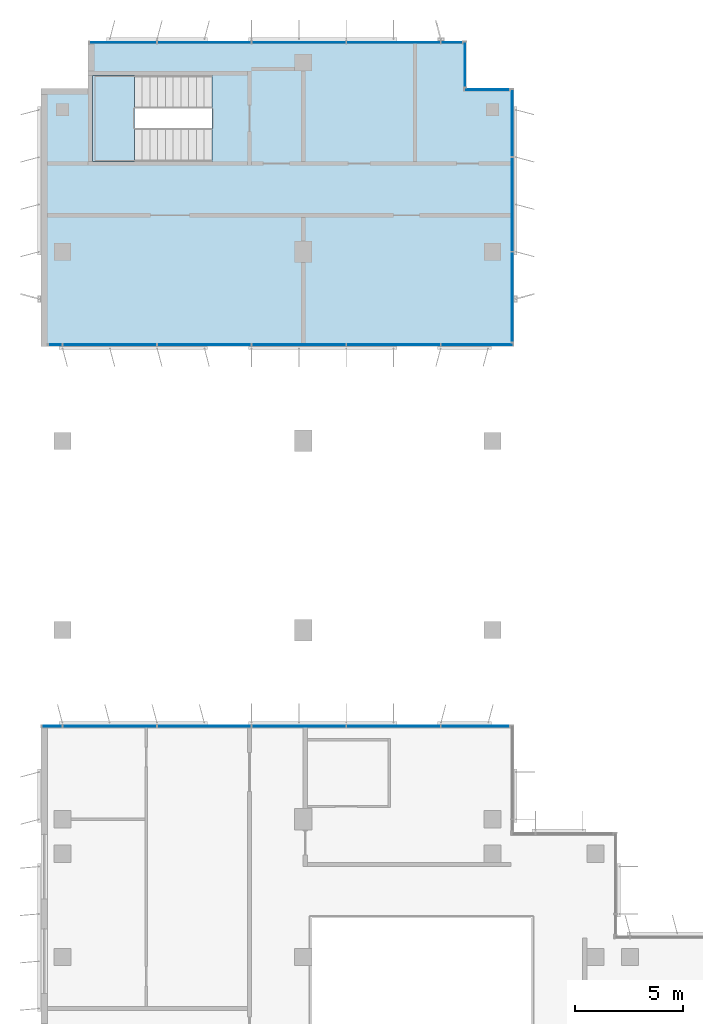
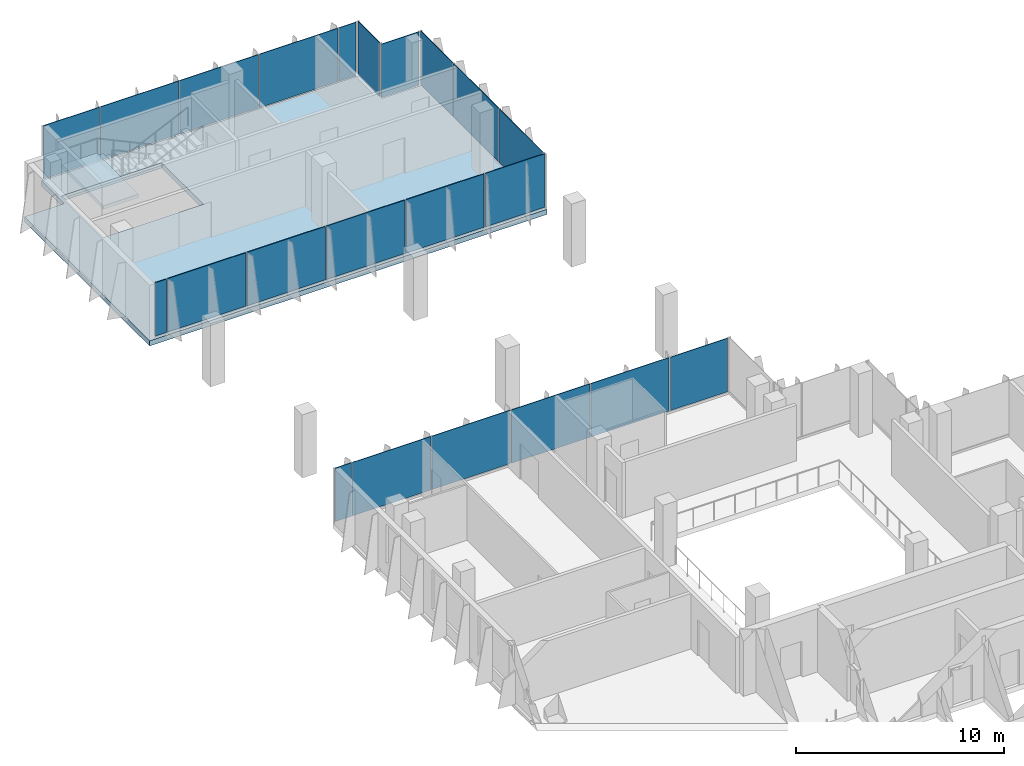
# One storey, part 8 of 13: 22 plates, 2 slabs, 7 elements without a shape of their own.
"""IFC4 building model written with IfcOpenShell, lengths in metres."""

import ifcopenshell
import ifcopenshell.guid

model = None  # the IFC model being written
_history = None  # IfcOwnerHistory: only IFC2X3 demands one
_inside = {}  # id of a spatial element -> (the spatial element, [elements in it])
_under = {}  # id of a project, library or spatial element -> (it, [spatial elements below it])
_declared = {}  # id of a project -> (the project, [libraries it declares])
_typed = {}  # id of a type object -> (the type object, [elements of that type])
_made_of = {}  # id of a material, layer set ... -> (it, [elements and type objects made of it])


def new_model(schema):
    """Start an empty IFC model of exactly this schema.

    Asked for "IFC4X3", IfcOpenShell would pick the latest addendum, in which some entities
    have other attributes; the version numbers below select the first issue.
    IFC2X3 requires an IfcOwnerHistory on every rooted entity: one is made here for all.
    """
    global model, _history
    if schema == "IFC4X3":
        model = ifcopenshell.file(schema_version=(4, 3, 0, 0))
    else:
        model = ifcopenshell.file(schema=schema)
    _inside.clear()
    _under.clear()
    _declared.clear()
    _typed.clear()
    _made_of.clear()
    _history = None
    if model.schema == "IFC2X3":
        org = make("IfcOrganization", Name="unknown")
        user = make(
            "IfcPersonAndOrganization",
            ThePerson=make("IfcPerson", FamilyName="unknown"),
            TheOrganization=org,
        )
        app = make(
            "IfcApplication",
            ApplicationDeveloper=org,
            Version="unknown",
            ApplicationFullName="unknown",
            ApplicationIdentifier="unknown",
        )
        _history = make(
            "IfcOwnerHistory",
            OwningUser=user,
            OwningApplication=app,
            ChangeAction="ADDED",
            CreationDate=0,
        )
    return model


def make(cls, **values):
    """One entity of the class cls with the attributes given. An attribute that is None is left unset."""
    return model.create_entity(
        cls, **{name: value for name, value in values.items() if value is not None}
    )


def rooted(cls, **values):
    """An entity with a GlobalId (a new one), such as an element, a storey or a relation."""
    return make(cls, GlobalId=ifcopenshell.guid.new(), OwnerHistory=_history, **values)


def si_unit(unit_type, name, prefix=None):
    """IfcSIUnit, for example si_unit("LENGTHUNIT", "METRE", prefix="MILLI")."""
    return make("IfcSIUnit", UnitType=unit_type, Prefix=prefix, Name=name)


def assignment(units):
    """IfcUnitAssignment: the units of a project."""
    return None if units is None else make("IfcUnitAssignment", Units=units)


def point(xyz):
    """IfcCartesianPoint."""
    return None if xyz is None else make("IfcCartesianPoint", Coordinates=xyz)


def direction(xyz):
    """IfcDirection."""
    return None if xyz is None else make("IfcDirection", DirectionRatios=xyz)


def frame(location, z_axis=None, x_axis=None):
    """IfcAxis2Placement3D, a coordinate frame: its origin and axes. An axis left out is left unset."""
    return make(
        "IfcAxis2Placement3D",
        Location=point(location),
        Axis=direction(z_axis),
        RefDirection=direction(x_axis),
    )


def frame_2d(location, x_axis=None):
    """IfcAxis2Placement2D, a coordinate frame in the plane: its origin and x axis."""
    return make(
        "IfcAxis2Placement2D", Location=point(location), RefDirection=direction(x_axis)
    )


def origin():
    """The frame at (0, 0, 0) with its axes left unset."""
    return frame((0.0, 0.0, 0.0))


def origin_2d():
    """The frame at (0, 0) in the plane with its x axis left unset."""
    return frame_2d((0.0, 0.0))


def place(relative_to, where):
    """IfcLocalPlacement: puts the frame where relative to a parent placement (None: the world)."""
    return make(
        "IfcLocalPlacement", PlacementRelTo=relative_to, RelativePlacement=where
    )


def context(
    kind, dimensions, precision=None, world=None, true_north=None, identifier=None
):
    """IfcGeometricRepresentationContext, for example the 3D "Model" context."""
    return make(
        "IfcGeometricRepresentationContext",
        ContextIdentifier=identifier,
        ContextType=kind,
        CoordinateSpaceDimension=dimensions,
        Precision=precision,
        WorldCoordinateSystem=world,
        TrueNorth=true_north,
    )


def subcontext(parent, identifier, kind, view, scale=None):
    """IfcGeometricRepresentationSubContext, for example "Body" below "Model"."""
    return make(
        "IfcGeometricRepresentationSubContext",
        ContextIdentifier=identifier,
        ContextType=kind,
        ParentContext=parent,
        TargetScale=scale,
        TargetView=view,
    )


def project(units=None, contexts=None):
    """IfcProject with its units and contexts."""
    return rooted(
        "IfcProject",
        Name="project",
        RepresentationContexts=contexts,
        UnitsInContext=assignment(units),
    )


def spatial(cls, under=None, at=None, **own):
    """A site, building, storey or space (cls), placed at a placement, below another one or the project."""
    s = rooted(cls, ObjectPlacement=at, **own)
    if under is not None:
        _under.setdefault(under.id(), (under, []))[1].append(s)
    return s


def polyline(points):
    """IfcPolyline through the points."""
    return make("IfcPolyline", Points=[point(p) for p in points])


def profile(cls, at=None, kind="AREA", **sizes):
    """A parametric profile (cls). Its sizes go by their IFC names, for example OverallWidth=200.0."""
    return make(cls, ProfileType=kind, Position=at, **sizes)


def rectangle(**sizes):
    """IfcRectangleProfileDef."""
    return profile("IfcRectangleProfileDef", **sizes)


def outline(outer, holes=None, kind="AREA"):
    """IfcArbitraryClosedProfileDef: a profile drawn as a closed curve; with holes, ...WithVoids."""
    if holes is None:
        return make("IfcArbitraryClosedProfileDef", ProfileType=kind, OuterCurve=outer)
    return make(
        "IfcArbitraryProfileDefWithVoids",
        ProfileType=kind,
        OuterCurve=outer,
        InnerCurves=holes,
    )


def extrude(swept, where, along, depth):
    """IfcExtrudedAreaSolid: the profile swept, set in the frame where, extruded along a direction by depth."""
    return make(
        "IfcExtrudedAreaSolid",
        SweptArea=swept,
        Position=where,
        ExtrudedDirection=direction(along),
        Depth=depth,
    )


def shape(context_of_items, identifier, shape_type, items):
    """IfcShapeRepresentation: the items that make up one representation, for example the "Body"."""
    return make(
        "IfcShapeRepresentation",
        ContextOfItems=context_of_items,
        RepresentationIdentifier=identifier,
        RepresentationType=shape_type,
        Items=items,
    )


def source(mapping_origin, context_of_items, identifier, shape_type, items):
    """IfcRepresentationMap: a shape defined once, which mapped items show again and again."""
    return make(
        "IfcRepresentationMap",
        MappingOrigin=mapping_origin,
        MappedRepresentation=shape(context_of_items, identifier, shape_type, items),
    )


def transform(
    local_origin,
    x_axis=None,
    y_axis=None,
    z_axis=None,
    scale=None,
    scale2=None,
    scale3=None,
    uniform=True,
):
    """IfcCartesianTransformationOperator3D, or its non-uniform kind. x_axis, y_axis, z_axis: its Axis1, 2, 3."""
    if uniform:
        return make(
            "IfcCartesianTransformationOperator3D",
            Axis1=direction(x_axis),
            Axis2=direction(y_axis),
            LocalOrigin=point(local_origin),
            Scale=scale,
            Axis3=direction(z_axis),
        )
    return make(
        "IfcCartesianTransformationOperator3DnonUniform",
        Axis1=direction(x_axis),
        Axis2=direction(y_axis),
        LocalOrigin=point(local_origin),
        Scale=scale,
        Axis3=direction(z_axis),
        Scale2=scale2,
        Scale3=scale3,
    )


def mapped(mapping_source, mapping_target):
    """IfcMappedItem: shows the shape of a source again, moved by a transform."""
    return make(
        "IfcMappedItem", MappingSource=mapping_source, MappingTarget=mapping_target
    )


def material(Name=None, Category=None):
    """IfcMaterial."""
    return make("IfcMaterial", Name=Name, Category=Category)


def layer(
    of_material, thickness, ventilated=None, Name=None, Category=None, Priority=None
):
    """IfcMaterialLayer: one layer of a wall or slab, of a material (None: an air gap)."""
    return make(
        "IfcMaterialLayer",
        Material=of_material,
        LayerThickness=thickness,
        IsVentilated=ventilated,
        Name=Name,
        Category=Category,
        Priority=Priority,
    )


def layer_set(layers, Name=None):
    """IfcMaterialLayerSet."""
    return make("IfcMaterialLayerSet", MaterialLayers=layers, LayerSetName=Name)


def made_of(thing, what):
    """Note that an element or type object is made of a material, layer set ...; save() writes the relation."""
    if what is not None:
        _made_of.setdefault(what.id(), (what, []))[1].append(thing)
    return thing


def type_object(cls, material=None, **own):
    """A type object (cls), such as IfcWallType, which elements share."""
    return made_of(rooted(cls, **own), material)


def element(
    cls,
    number,
    at=None,
    inside=None,
    cuts=None,
    type_object=None,
    material=None,
    context=None,
    identifier="Body",
    shape_type=None,
    held_by="IfcProductDefinitionShape",
    body=None,
    shapes=None,
    **own,
):
    """One element of the class cls, such as IfcWall. Its Tag is "e" and its number.

    at: its placement. inside: the storey or other place that contains it. cuts: it is an
    opening in that element (IfcRelVoidsElement). A single representation is given by context,
    identifier, shape_type and body (its items); several are given by shapes. held_by: the class
    of the entity that holds the representations. save() writes the other relations.
    """
    e = rooted(cls, Tag="e%d" % number, ObjectPlacement=at, **own)
    if body is not None:
        shapes = [shape(context, identifier, shape_type, body)]
    if shapes is not None:
        e.Representation = make(held_by, Representations=shapes)
    if inside is not None:
        _inside.setdefault(inside.id(), (inside, []))[1].append(e)
    if cuts is not None:
        rooted(
            "IfcRelVoidsElement", RelatingBuildingElement=cuts, RelatedOpeningElement=e
        )
    if type_object is not None:
        _typed.setdefault(type_object.id(), (type_object, []))[1].append(e)
    return made_of(e, material)


def aggregate(whole, parts):
    """IfcRelAggregates: a whole, such as a stair, and the parts it consists of."""
    return rooted("IfcRelAggregates", RelatingObject=whole, RelatedObjects=parts)


def save(model, path):
    """Write the relations noted so far, then the file.

    IfcRelAggregates (storeys below a building ...), IfcRelContainedInSpatialStructure (elements
    in a storey), IfcRelDefinesByType, IfcRelAssociatesMaterial and IfcRelDeclares: one each for
    every whole, place, type object, material and project.
    """
    for whole, parts in _under.values():
        aggregate(whole, parts)
    for where, things in _inside.values():
        rooted(
            "IfcRelContainedInSpatialStructure",
            RelatedElements=things,
            RelatingStructure=where,
        )
    for kind, things in _typed.values():
        rooted("IfcRelDefinesByType", RelatedObjects=things, RelatingType=kind)
    for what, things in _made_of.values():
        rooted("IfcRelAssociatesMaterial", RelatedObjects=things, RelatingMaterial=what)
    for by, libraries in _declared.values():
        rooted("IfcRelDeclares", RelatingContext=by, RelatedDefinitions=libraries)
    model.write(path)


model = new_model("IFC4")

# Units and contexts
model_context = context("Model", 3, precision=1e-05, world=origin(), true_north=direction((0.0, 1.0)))
body_context = subcontext(model_context, "Body", "Model", "MODEL_VIEW")
ifc_project = project(units=[si_unit("LENGTHUNIT", "METRE"), si_unit("AREAUNIT", "SQUARE_METRE"), si_unit("VOLUMEUNIT", "CUBIC_METRE"), si_unit("PLANEANGLEUNIT", "RADIAN"), si_unit("MASSUNIT", "GRAM", prefix="KILO")], contexts=[model_context])

# Site, building, storey
site_placement = place(None, origin())
site = spatial("IfcSite", under=ifc_project, at=site_placement, CompositionType="ELEMENT")
building_placement = place(site_placement, origin())
building = spatial("IfcBuilding", under=site, at=building_placement, Name="Kemantara Hotel Tower", CompositionType="ELEMENT")
storey_placement = place(building_placement, frame((0.0, 0.0, 252.39990234375)))
storey = spatial("IfcBuildingStorey", under=building, at=storey_placement, Name="L63", CompositionType="ELEMENT", Elevation=252.39990234375)

# Slab
ifc_material_1 = material(Name="Concrete fc 40 MPa", Category="concrete")
ifc_layer_1 = layer(ifc_material_1, 0.300048828125)
ifc_layer_set_1 = layer_set([ifc_layer_1], Name="Concrete fc 40 MPa")
slab_type_1 = type_object("IfcSlabType", Name="POST-TENSIONED FLAT PLATE 300", PredefinedType="FLOOR", material=ifc_layer_set_1)
slab_1_placement = place(storey_placement, frame((0.0, 0.0, -0.2998046875)))
element("IfcSlab", 1, at=slab_1_placement, inside=storey, type_object=slab_type_1, Name="FLOOR SLAB L63", PredefinedType="FLOOR", context=body_context, shape_type="SweptSolid", body=[
    extrude(outline(polyline([(2.199951171875, 61.39990234375), (0.0, 61.39990234375), (0.0, 49.39990234375), (22.0, 49.39990234375), (22.0, 61.39990234375), (19.800048828125, 61.39990234375), (19.800048828125, 63.60009765625), (2.199951171875, 63.60009765625), (2.199951171875, 61.39990234375)]), holes=[polyline([(2.39990234375, 58.0), (2.39990234375, 62.0), (7.949462890625, 62.0), (7.949462890625, 58.0), (2.39990234375, 58.0)])]), origin(), (0.0, 0.0, 1.0), 0.2998046875),
])

# Stair, slab
stair_type = type_object("IfcStairType", Name="Stair 1550 wide 22 risers of 168 x 360 mm", PredefinedType="HALF_TURN_STAIR", material=ifc_material_1)
stair_placement = place(storey_placement, origin())
stair = element("IfcStair", 2, at=stair_placement, inside=storey, type_object=stair_type, Name="L63 Exit stair ST4", PredefinedType="HALF_TURN_STAIR")
ifc_layer_2 = layer(ifc_material_1, 0.199951171875)
ifc_layer_set_2 = layer_set([ifc_layer_2], Name="Concrete fc 40 MPa")
slab_type_2 = type_object("IfcSlabType", Name="Stair landing 200 mm", PredefinedType="LANDING", material=ifc_layer_set_2)
slab_2_placement = place(storey_placement, frame((0.0, 0.0, 1.650146484375)))
slab_2 = element("IfcSlab", 3, at=slab_2_placement, type_object=slab_type_2, Name="ST4 landing 1", PredefinedType="LANDING", context=body_context, shape_type="SweptSolid", body=[
    extrude(outline(polyline([(4.35009765625, 62.0), (2.39990234375, 62.0), (2.39990234375, 58.0), (4.35009765625, 58.0), (4.35009765625, 62.0)])), origin(), (0.0, 0.0, 1.0), 0.199951171875),
])
aggregate(stair, [slab_2])

# Curtain wall, plates
ifc_material_2 = material(Name="Low-E tinted double insulated glass 36 mm", Category="glass")
curtain_wall_type = type_object("IfcCurtainWallType", Name="TOWER CURTAIN WALL, FRONT FACES", PredefinedType="USERDEFINED", material=ifc_material_2)
curtain_wall_1_placement = place(storey_placement, origin())
curtain_wall_1 = element("IfcCurtainWall", 4, at=curtain_wall_1_placement, inside=storey, type_object=curtain_wall_type, Name="CW4 L63 T4P-R01-1", ObjectType="TOWER CURTAIN WALL, FRONT FACES", PredefinedType="USERDEFINED")
ifc_layer_3 = layer(ifc_material_2, 0.035888671875)
ifc_layer_set_3 = layer_set([ifc_layer_3], Name="Low-E tinted double insulated glass 36 mm")
plate_type = type_object("IfcPlateType", Name="TOWER CURTAIN WALL, FRONT FACES PANEL", PredefinedType="CURTAIN_PANEL", material=ifc_layer_set_3)
shared_shape_1 = source(origin(), body_context, "Body", "SweptSolid", [
    extrude(rectangle(XDim=4.340087890625, YDim=0.035888671875, at=origin_2d()), origin(), (0.0, 0.0, 1.0), 3.1298828125),
])
plate_1_placement = place(storey_placement, frame((16.39990234375, 31.72509765625, 0.1201171875), z_axis=(0.0, 0.0, 1.0), x_axis=(-1.0, 0.0, 0.0)))
plate_1 = element("IfcPlate", 5, at=plate_1_placement, type_object=plate_type, Name="CW4 glass panel T4P-R01-1.2", PredefinedType="CURTAIN_PANEL", context=body_context, shape_type="MappedRepresentation", body=[
    mapped(shared_shape_1, transform((0.0, 0.0, 0.0))),
])
plate_2_placement = place(storey_placement, frame((12.0, 31.72509765625, 0.1201171875), z_axis=(0.0, 0.0, 1.0), x_axis=(-1.0, 0.0, 0.0)))
plate_2 = element("IfcPlate", 6, at=plate_2_placement, type_object=plate_type, Name="CW4 glass panel T4P-R01-1.3", PredefinedType="CURTAIN_PANEL", context=body_context, shape_type="MappedRepresentation", body=[
    mapped(shared_shape_1, transform((0.0, 0.0, 0.0))),
])
plate_3_placement = place(storey_placement, frame((7.60009765625, 31.72509765625, 0.1201171875), z_axis=(0.0, 0.0, 1.0), x_axis=(-1.0, 0.0, 0.0)))
plate_3 = element("IfcPlate", 7, at=plate_3_placement, type_object=plate_type, Name="CW4 glass panel T4P-R01-1.4", PredefinedType="CURTAIN_PANEL", context=body_context, shape_type="MappedRepresentation", body=[
    mapped(shared_shape_1, transform((0.0, 0.0, 0.0))),
])
plate_4_placement = place(storey_placement, frame((3.199951171875, 31.72509765625, 0.1201171875), z_axis=(0.0, 0.0, 1.0), x_axis=(-1.0, 0.0, 0.0)))
plate_4 = element("IfcPlate", 8, at=plate_4_placement, type_object=plate_type, Name="CW4 glass panel T4P-R01-1.5", PredefinedType="CURTAIN_PANEL", context=body_context, shape_type="MappedRepresentation", body=[
    mapped(shared_shape_1, transform((0.0, 0.0, 0.0))),
])

curtain_wall_2_placement = place(storey_placement, origin())
curtain_wall_2 = element("IfcCurtainWall", 9, at=curtain_wall_2_placement, inside=storey, type_object=curtain_wall_type, Name="CW4 L63 T4P-R12-1", ObjectType="TOWER CURTAIN WALL, FRONT FACES", PredefinedType="USERDEFINED")
plate_5_placement = place(storey_placement, frame((3.199951171875, 49.47509765625, 0.1201171875), z_axis=(0.0, 0.0, 1.0), x_axis=(1.0, 0.0, 0.0)))
plate_5 = element("IfcPlate", 10, at=plate_5_placement, type_object=plate_type, Name="CW4 glass panel T4P-R12-1.2", PredefinedType="CURTAIN_PANEL", context=body_context, shape_type="MappedRepresentation", body=[
    mapped(shared_shape_1, transform((0.0, 0.0, 0.0))),
])
plate_6_placement = place(storey_placement, frame((7.60009765625, 49.47509765625, 0.1201171875), z_axis=(0.0, 0.0, 1.0), x_axis=(1.0, 0.0, 0.0)))
plate_6 = element("IfcPlate", 11, at=plate_6_placement, type_object=plate_type, Name="CW4 glass panel T4P-R12-1.3", PredefinedType="CURTAIN_PANEL", context=body_context, shape_type="MappedRepresentation", body=[
    mapped(shared_shape_1, transform((0.0, 0.0, 0.0))),
])
plate_7_placement = place(storey_placement, frame((12.0, 49.47509765625, 0.1201171875), z_axis=(0.0, 0.0, 1.0), x_axis=(1.0, 0.0, 0.0)))
plate_7 = element("IfcPlate", 12, at=plate_7_placement, type_object=plate_type, Name="CW4 glass panel T4P-R12-1.4", PredefinedType="CURTAIN_PANEL", context=body_context, shape_type="MappedRepresentation", body=[
    mapped(shared_shape_1, transform((0.0, 0.0, 0.0))),
])
plate_8_placement = place(storey_placement, frame((16.39990234375, 49.47509765625, 0.1201171875), z_axis=(0.0, 0.0, 1.0), x_axis=(1.0, 0.0, 0.0)))
plate_8 = element("IfcPlate", 13, at=plate_8_placement, type_object=plate_type, Name="CW4 glass panel T4P-R12-1.5", PredefinedType="CURTAIN_PANEL", context=body_context, shape_type="MappedRepresentation", body=[
    mapped(shared_shape_1, transform((0.0, 0.0, 0.0))),
])

# Curtain wall, plate
curtain_wall_3_placement = place(storey_placement, origin())
curtain_wall_3 = element("IfcCurtainWall", 14, at=curtain_wall_3_placement, inside=storey, type_object=curtain_wall_type, Name="CW4 L63 T4P-R13-1", ObjectType="TOWER CURTAIN WALL, FRONT FACES", PredefinedType="USERDEFINED")
plate_9_placement = place(storey_placement, frame((21.925048828125, 56.0, 0.1201171875), z_axis=(0.0, 0.0, 1.0), x_axis=(0.0, 1.0, 0.0)))
plate_9 = element("IfcPlate", 15, at=plate_9_placement, type_object=plate_type, Name="CW4 glass panel T4P-R13-1.2", PredefinedType="CURTAIN_PANEL", context=body_context, shape_type="MappedRepresentation", body=[
    mapped(shared_shape_1, transform((0.0, 0.0, 0.0))),
])

# Curtain wall, plates
curtain_wall_4_placement = place(storey_placement, origin())
curtain_wall_4 = element("IfcCurtainWall", 16, at=curtain_wall_4_placement, inside=storey, type_object=curtain_wall_type, Name="CW4 L63 T4P-R16-1", ObjectType="TOWER CURTAIN WALL, FRONT FACES", PredefinedType="USERDEFINED")
plate_10_placement = place(storey_placement, frame((16.39990234375, 63.52490234375, 0.1201171875), z_axis=(0.0, 0.0, 1.0), x_axis=(-1.0, 0.0, 0.0)))
plate_10 = element("IfcPlate", 17, at=plate_10_placement, type_object=plate_type, Name="CW4 glass panel T4P-R16-1.2", PredefinedType="CURTAIN_PANEL", context=body_context, shape_type="MappedRepresentation", body=[
    mapped(shared_shape_1, transform((0.0, 0.0, 0.0))),
])
plate_11_placement = place(storey_placement, frame((12.0, 63.52490234375, 0.1201171875), z_axis=(0.0, 0.0, 1.0), x_axis=(-1.0, 0.0, 0.0)))
plate_11 = element("IfcPlate", 18, at=plate_11_placement, type_object=plate_type, Name="CW4 glass panel T4P-R16-1.3", PredefinedType="CURTAIN_PANEL", context=body_context, shape_type="MappedRepresentation", body=[
    mapped(shared_shape_1, transform((0.0, 0.0, 0.0))),
])
plate_12_placement = place(storey_placement, frame((7.60009765625, 63.52490234375, 0.1201171875), z_axis=(0.0, 0.0, 1.0), x_axis=(-1.0, 0.0, 0.0)))
plate_12 = element("IfcPlate", 19, at=plate_12_placement, type_object=plate_type, Name="CW4 glass panel T4P-R16-1.4", PredefinedType="CURTAIN_PANEL", context=body_context, shape_type="MappedRepresentation", body=[
    mapped(shared_shape_1, transform((0.0, 0.0, 0.0))),
])

# Plate
shared_shape_2 = source(origin(), body_context, "Body", "SweptSolid", [
    extrude(rectangle(XDim=3.110107421875, YDim=0.035888671875, at=origin_2d()), origin(), (0.0, 0.0, 1.0), 3.1298828125),
])
plate_13_placement = place(storey_placement, frame((21.925048828125, 59.784912109375, 0.1201171875), z_axis=(0.0, 0.0, 1.0), x_axis=(0.0, 1.0, 0.0)))
plate_13 = element("IfcPlate", 20, at=plate_13_placement, type_object=plate_type, Name="CW4 glass panel T4P-R13-1.3", PredefinedType="CURTAIN_PANEL", context=body_context, shape_type="MappedRepresentation", body=[
    mapped(shared_shape_2, transform((0.0, 0.0, 0.0))),
])

plate_14_placement = place(storey_placement, frame((3.81494140625, 63.52490234375, 0.1201171875), z_axis=(0.0, 0.0, 1.0), x_axis=(-1.0, 0.0, 0.0)))
plate_14 = element("IfcPlate", 21, at=plate_14_placement, type_object=plate_type, Name="CW4 glass panel T4P-R16-1.5", PredefinedType="CURTAIN_PANEL", context=body_context, shape_type="MappedRepresentation", body=[
    mapped(shared_shape_2, transform((0.0, 0.0, 0.0))),
])

# Curtain wall, plate
curtain_wall_5_placement = place(storey_placement, origin())
curtain_wall_5 = element("IfcCurtainWall", 22, at=curtain_wall_5_placement, inside=storey, type_object=curtain_wall_type, Name="CW4 L63 T4P-R14-1", ObjectType="TOWER CURTAIN WALL, FRONT FACES", PredefinedType="USERDEFINED")
shared_shape_3 = source(origin(), body_context, "Body", "SweptSolid", [
    extrude(rectangle(XDim=2.080078125, YDim=0.035888671875, at=origin_2d()), origin(), (0.0, 0.0, 1.0), 3.1298828125),
])
plate_15_placement = place(storey_placement, frame((20.75, 61.324951171875, 0.1201171875), z_axis=(0.0, 0.0, 1.0), x_axis=(-1.0, 0.0, 0.0)))
plate_15 = element("IfcPlate", 23, at=plate_15_placement, type_object=plate_type, Name="CW4 glass panel T4P-R14-1.1", PredefinedType="CURTAIN_PANEL", context=body_context, shape_type="MappedRepresentation", body=[
    mapped(shared_shape_3, transform((0.0, 0.0, 0.0))),
])
aggregate(curtain_wall_5, [plate_15])

curtain_wall_6_placement = place(storey_placement, origin())
curtain_wall_6 = element("IfcCurtainWall", 24, at=curtain_wall_6_placement, inside=storey, type_object=curtain_wall_type, Name="CW4 L63 T4P-R15-1", ObjectType="TOWER CURTAIN WALL, FRONT FACES", PredefinedType="USERDEFINED")
plate_16_placement = place(storey_placement, frame((19.72509765625, 62.5, 0.1201171875), z_axis=(0.0, 0.0, 1.0), x_axis=(0.0, 1.0, 0.0)))
plate_16 = element("IfcPlate", 25, at=plate_16_placement, type_object=plate_type, Name="CW4 glass panel T4P-R15-1.1", PredefinedType="CURTAIN_PANEL", context=body_context, shape_type="MappedRepresentation", body=[
    mapped(shared_shape_3, transform((0.0, 0.0, 0.0))),
])
aggregate(curtain_wall_6, [plate_16])

# Plate
shared_shape_4 = source(origin(), body_context, "Body", "SweptSolid", [
    extrude(rectangle(XDim=0.909912109375, YDim=0.035888671875, at=origin_2d()), origin(), (0.0, 0.0, 1.0), 3.1298828125),
])
plate_17_placement = place(storey_placement, frame((0.514892578125, 31.72509765625, 0.1201171875), z_axis=(0.0, 0.0, 1.0), x_axis=(-1.0, 0.0, 0.0)))
plate_17 = element("IfcPlate", 26, at=plate_17_placement, type_object=plate_type, Name="CW4 glass panel T4P-R01-1.6", PredefinedType="CURTAIN_PANEL", context=body_context, shape_type="MappedRepresentation", body=[
    mapped(shared_shape_4, transform((0.0, 0.0, 0.0))),
])

shared_shape_5 = source(origin(), body_context, "Body", "SweptSolid", [
    extrude(rectangle(XDim=0.9599609375, YDim=0.035888671875, at=origin_2d()), origin(), (0.0, 0.0, 1.0), 3.1298828125),
])
plate_18_placement = place(storey_placement, frame((19.110107421875, 63.52490234375, 0.1201171875), z_axis=(0.0, 0.0, 1.0), x_axis=(-1.0, 0.0, 0.0)))
plate_18 = element("IfcPlate", 27, at=plate_18_placement, type_object=plate_type, Name="CW4 glass panel T4P-R16-1.1", PredefinedType="CURTAIN_PANEL", context=body_context, shape_type="MappedRepresentation", body=[
    mapped(shared_shape_5, transform((0.0, 0.0, 0.0))),
])

aggregate(curtain_wall_4, [plate_18, plate_10, plate_11, plate_12, plate_14])

shared_shape_6 = source(origin(), body_context, "Body", "SweptSolid", [
    extrude(rectangle(XDim=3.159912109375, YDim=0.035888671875, at=origin_2d()), origin(), (0.0, 0.0, 1.0), 3.1298828125),
])
plate_19_placement = place(storey_placement, frame((20.2099609375, 31.72509765625, 0.1201171875), z_axis=(0.0, 0.0, 1.0), x_axis=(-1.0, 0.0, 0.0)))
plate_19 = element("IfcPlate", 28, at=plate_19_placement, type_object=plate_type, Name="CW4 glass panel T4P-R01-1.1", PredefinedType="CURTAIN_PANEL", context=body_context, shape_type="MappedRepresentation", body=[
    mapped(shared_shape_6, transform((0.0, 0.0, 0.0))),
])

aggregate(curtain_wall_1, [plate_19, plate_1, plate_2, plate_3, plate_4, plate_17])

shared_shape_7 = source(origin(), body_context, "Body", "SweptSolid", [
    extrude(rectangle(XDim=0.610107421875, YDim=0.035888671875, at=origin_2d()), origin(), (0.0, 0.0, 1.0), 3.1298828125),
])
plate_20_placement = place(storey_placement, frame((0.6650390625, 49.47509765625, 0.1201171875), z_axis=(0.0, 0.0, 1.0), x_axis=(1.0, 0.0, 0.0)))
plate_20 = element("IfcPlate", 29, at=plate_20_placement, type_object=plate_type, Name="CW4 glass panel T4P-R12-1.1", PredefinedType="CURTAIN_PANEL", context=body_context, shape_type="MappedRepresentation", body=[
    mapped(shared_shape_7, transform((0.0, 0.0, 0.0))),
])

shared_shape_8 = source(origin(), body_context, "Body", "SweptSolid", [
    extrude(rectangle(XDim=3.31005859375, YDim=0.035888671875, at=origin_2d()), origin(), (0.0, 0.0, 1.0), 3.1298828125),
])
plate_21_placement = place(storey_placement, frame((20.284912109375, 49.47509765625, 0.1201171875), z_axis=(0.0, 0.0, 1.0), x_axis=(1.0, 0.0, 0.0)))
plate_21 = element("IfcPlate", 30, at=plate_21_placement, type_object=plate_type, Name="CW4 glass panel T4P-R12-1.6", PredefinedType="CURTAIN_PANEL", context=body_context, shape_type="MappedRepresentation", body=[
    mapped(shared_shape_8, transform((0.0, 0.0, 0.0))),
])

aggregate(curtain_wall_2, [plate_20, plate_5, plate_6, plate_7, plate_8, plate_21])

shared_shape_9 = source(origin(), body_context, "Body", "SweptSolid", [
    extrude(rectangle(XDim=4.159912109375, YDim=0.035888671875, at=origin_2d()), origin(), (0.0, 0.0, 1.0), 3.1298828125),
])
plate_22_placement = place(storey_placement, frame((21.925048828125, 51.68994140625, 0.1201171875), z_axis=(0.0, 0.0, 1.0), x_axis=(0.0, 1.0, 0.0)))
plate_22 = element("IfcPlate", 31, at=plate_22_placement, type_object=plate_type, Name="CW4 glass panel T4P-R13-1.1", PredefinedType="CURTAIN_PANEL", context=body_context, shape_type="MappedRepresentation", body=[
    mapped(shared_shape_9, transform((0.0, 0.0, 0.0))),
])

aggregate(curtain_wall_3, [plate_22, plate_9, plate_13])

save(model, "model.ifc")
